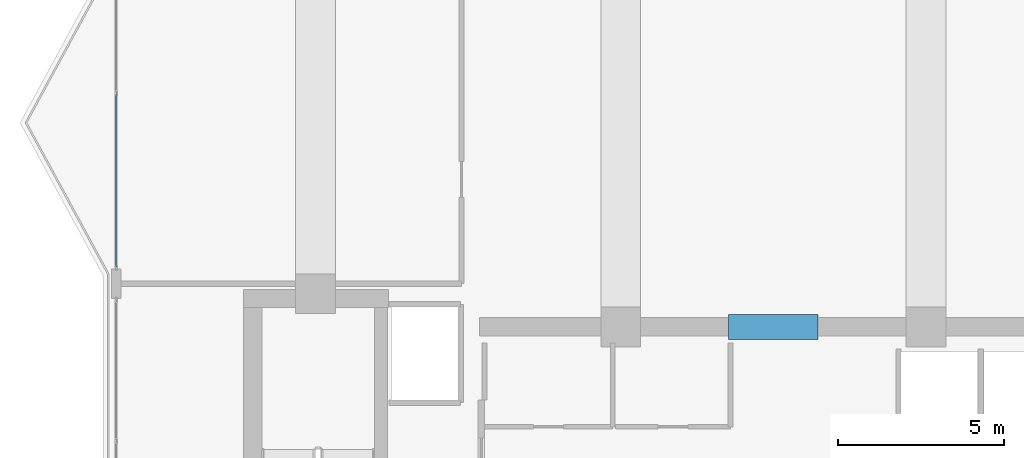
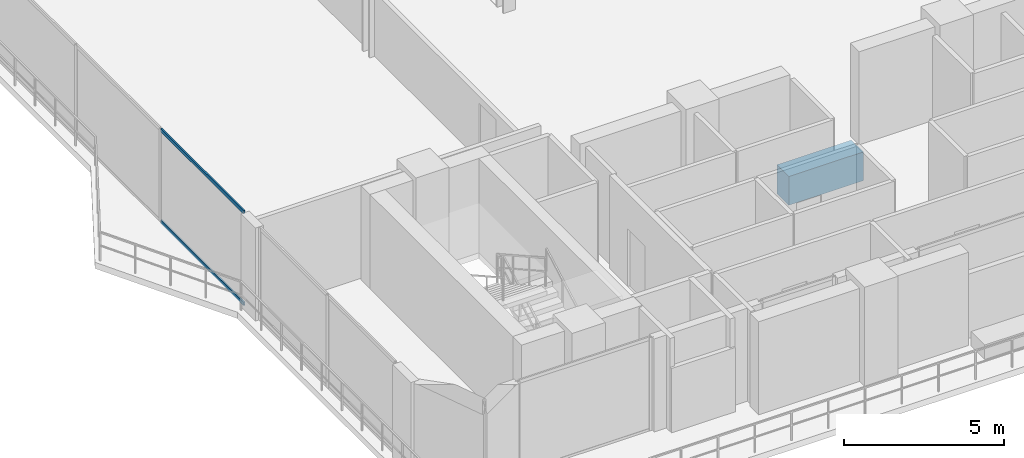
# One storey, part 7 of 27: 2 members, 1 beam, 1 element without a shape of its own.
"""IFC4 building model written with IfcOpenShell, lengths in metres."""

from ifc_helpers import new_model, si_unit, direction, frame, origin, origin_2d, place, context, subcontext, project, spatial, rectangle, hollow_rectangle, extrude, material, layer, layer_set, material_profile, profile_set, type_object, element, aggregate, save


model = new_model("IFC4")

# Units and contexts
model_context = context("Model", 3, precision=1e-05, world=origin(), true_north=direction((0.0, 1.0)))
body_context = subcontext(model_context, "Body", "Model", "MODEL_VIEW")
ifc_project = project(units=[si_unit("LENGTHUNIT", "METRE"), si_unit("AREAUNIT", "SQUARE_METRE"), si_unit("VOLUMEUNIT", "CUBIC_METRE"), si_unit("PLANEANGLEUNIT", "RADIAN"), si_unit("MASSUNIT", "GRAM", prefix="KILO")], contexts=[model_context])

# Site, building, storey
site_placement = place(None, origin())
site = spatial("IfcSite", under=ifc_project, at=site_placement, CompositionType="ELEMENT")
building_placement = place(site_placement, origin())
building = spatial("IfcBuilding", under=site, at=building_placement, Name="Zuhayl Quay Hotel", CompositionType="ELEMENT")
storey_placement = place(building_placement, frame((0.0, 0.0, 297.25)))
storey = spatial("IfcBuildingStorey", under=building, at=storey_placement, Name="Crown 1", CompositionType="ELEMENT", Elevation=297.25)

# Beam
ifc_material_1 = material(Name="Concrete C60/75", Category="concrete")
ifc_material_profile_1 = material_profile(ifc_material_1, rectangle(XDim=0.75, YDim=1.10009765625, at=origin_2d()), Name="RC750X1100")
ifc_profile_set_1 = profile_set([ifc_material_profile_1], Name="Concrete C60/75")
beam_type = type_object("IfcBeamType", Name="BM_CB2_RC750", PredefinedType="T_BEAM", material=ifc_profile_set_1)
beam_placement = place(storey_placement, frame((-1.35009765625, 13.35009765625, -0.7900390625), z_axis=(1.0, 0.0, 0.0), x_axis=(0.0, 1.0, 0.0)))
element("IfcBeam", 1, at=beam_placement, inside=storey, type_object=beam_type, Name="Crown 1 Core Coupling Beam North", PredefinedType="T_BEAM", context=body_context, shape_type="SweptSolid", body=[
    extrude(rectangle(XDim=0.75, YDim=1.10009765625, at=origin_2d()), origin(), (0.0, 0.0, 1.0), 2.7001953125),
])

# Curtain wall, members
ifc_material_2 = material(Name="Anodised Aluminium 6063-T6", Category="aluminium")
ifc_layer = layer(ifc_material_2, 0.159912109375, Name="Anodised Aluminium 6063-T6", Category="aluminium")
ifc_layer_set = layer_set([ifc_layer], Name="Anodised Aluminium 6063-T6")
curtain_wall_type = type_object("IfcCurtainWallType", Name="CW_SYS_CRN", PredefinedType="USERDEFINED", material=ifc_layer_set)
curtain_wall_placement = place(storey_placement, origin())
curtain_wall = element("IfcCurtainWall", 2, at=curtain_wall_placement, inside=storey, type_object=curtain_wall_type, Name="Crown 1 Curtain Wall ENV_CR1_E1_CW2", ObjectType="UNITISED CURTAIN WALL", PredefinedType="USERDEFINED")
ifc_material_3 = material(Name="Black-anodised aluminium 6063-T6", Category="aluminium")
ifc_material_profile_2 = material_profile(ifc_material_3, hollow_rectangle(XDim=0.054931640625, YDim=0.1298828125, WallThickness=0.0029296875, at=origin_2d()), Name="ALU130X55")
ifc_profile_set_2 = profile_set([ifc_material_profile_2], Name="Black-anodised aluminium 6063-T6")
member_type = type_object("IfcMemberType", Name="MB_CW_TRN_130", PredefinedType="USERDEFINED", material=ifc_profile_set_2)
member_1_placement = place(storey_placement, frame((-19.800048828125, 15.159912109375, 0.027587890625), z_axis=(0.0, 1.0, 0.0), x_axis=(-1.0, 0.0, 0.0)))
member_1 = element("IfcMember", 3, at=member_1_placement, type_object=member_type, Name="CW-CRN transom 1.1", ObjectType="TRANSOM", PredefinedType="USERDEFINED", context=body_context, shape_type="SweptSolid", body=[
    extrude(hollow_rectangle(XDim=0.054931640625, YDim=0.1298828125, WallThickness=0.0029296875, at=origin_2d()), origin(), (0.0, 0.0, 1.0), 5.197509765625),
])
member_2_placement = place(storey_placement, frame((-19.800048828125, 15.159912109375, 3.532470703125), z_axis=(0.0, 1.0, 0.0), x_axis=(-1.0, 0.0, 0.0)))
member_2 = element("IfcMember", 4, at=member_2_placement, type_object=member_type, Name="CW-CRN transom 1.2", ObjectType="TRANSOM", PredefinedType="USERDEFINED", context=body_context, shape_type="SweptSolid", body=[
    extrude(hollow_rectangle(XDim=0.054931640625, YDim=0.1298828125, WallThickness=0.0029296875, at=origin_2d()), origin(), (0.0, 0.0, 1.0), 5.197509765625),
])
aggregate(curtain_wall, [member_1, member_2])

save(model, "model.ifc")
